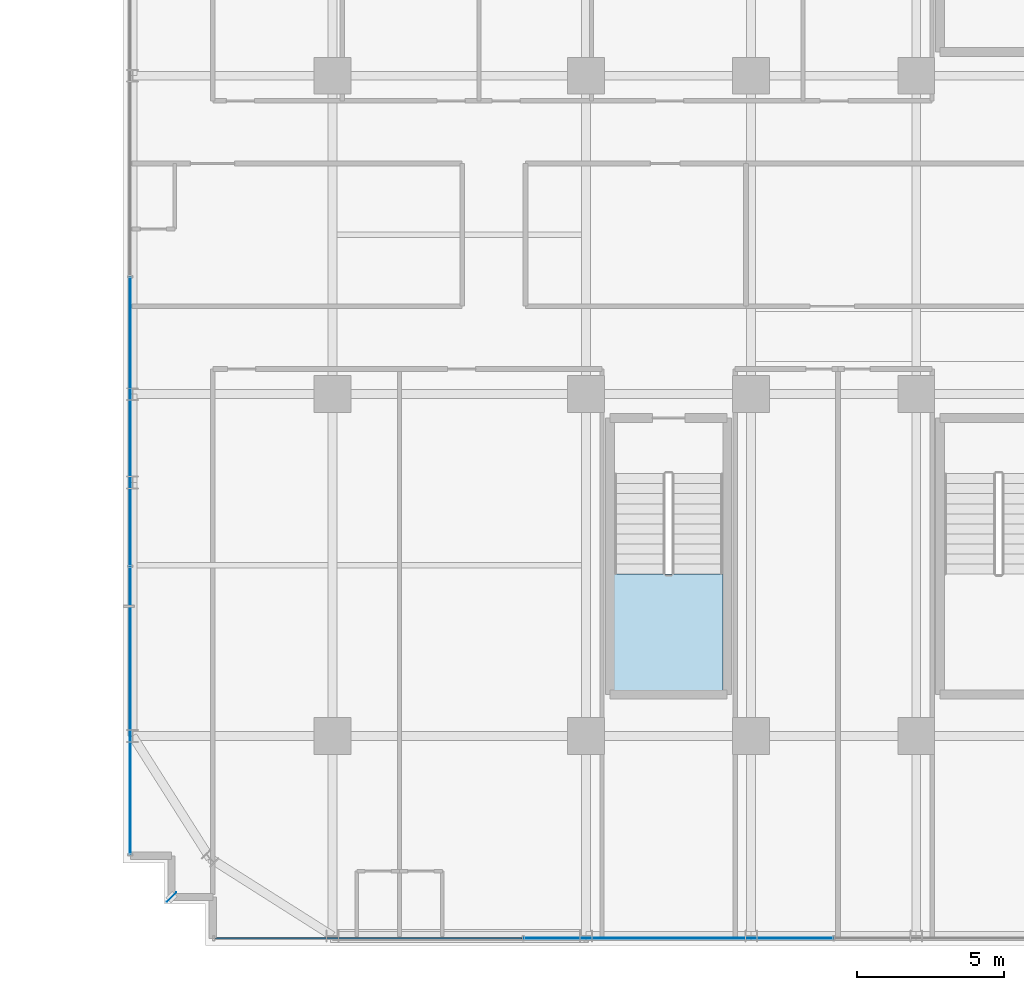
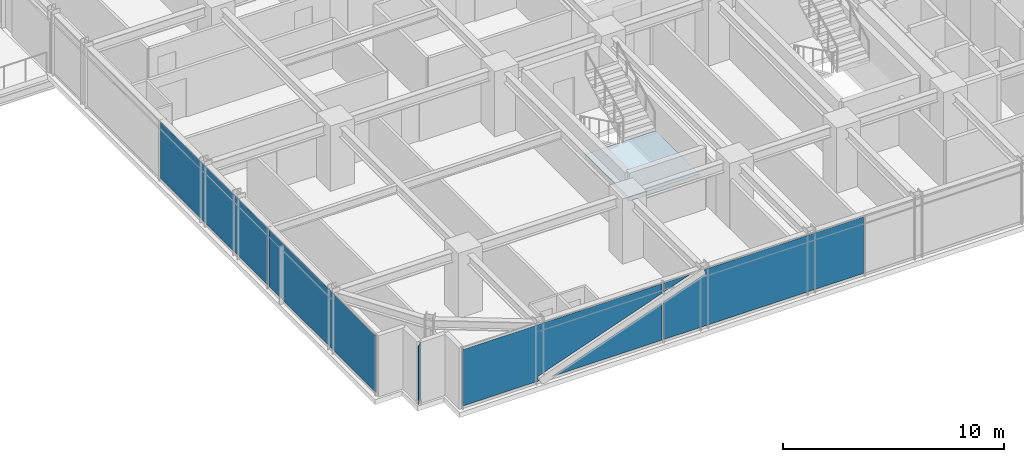
# One storey, part 26 of 40: 5 plates, 1 slab, 3 elements without a shape of their own.
"""IFC4 building model written with IfcOpenShell, lengths in metres."""

import ifcopenshell
import ifcopenshell.guid

model = None  # the IFC model being written
_history = None  # IfcOwnerHistory: only IFC2X3 demands one
_inside = {}  # id of a spatial element -> (the spatial element, [elements in it])
_under = {}  # id of a project, library or spatial element -> (it, [spatial elements below it])
_declared = {}  # id of a project -> (the project, [libraries it declares])
_typed = {}  # id of a type object -> (the type object, [elements of that type])
_made_of = {}  # id of a material, layer set ... -> (it, [elements and type objects made of it])


def new_model(schema):
    """Start an empty IFC model of exactly this schema.

    Asked for "IFC4X3", IfcOpenShell would pick the latest addendum, in which some entities
    have other attributes; the version numbers below select the first issue.
    IFC2X3 requires an IfcOwnerHistory on every rooted entity: one is made here for all.
    """
    global model, _history
    if schema == "IFC4X3":
        model = ifcopenshell.file(schema_version=(4, 3, 0, 0))
    else:
        model = ifcopenshell.file(schema=schema)
    _inside.clear()
    _under.clear()
    _declared.clear()
    _typed.clear()
    _made_of.clear()
    _history = None
    if model.schema == "IFC2X3":
        org = make("IfcOrganization", Name="unknown")
        user = make(
            "IfcPersonAndOrganization",
            ThePerson=make("IfcPerson", FamilyName="unknown"),
            TheOrganization=org,
        )
        app = make(
            "IfcApplication",
            ApplicationDeveloper=org,
            Version="unknown",
            ApplicationFullName="unknown",
            ApplicationIdentifier="unknown",
        )
        _history = make(
            "IfcOwnerHistory",
            OwningUser=user,
            OwningApplication=app,
            ChangeAction="ADDED",
            CreationDate=0,
        )
    return model


def make(cls, **values):
    """One entity of the class cls with the attributes given. An attribute that is None is left unset."""
    return model.create_entity(
        cls, **{name: value for name, value in values.items() if value is not None}
    )


def rooted(cls, **values):
    """An entity with a GlobalId (a new one), such as an element, a storey or a relation."""
    return make(cls, GlobalId=ifcopenshell.guid.new(), OwnerHistory=_history, **values)


def si_unit(unit_type, name, prefix=None):
    """IfcSIUnit, for example si_unit("LENGTHUNIT", "METRE", prefix="MILLI")."""
    return make("IfcSIUnit", UnitType=unit_type, Prefix=prefix, Name=name)


def assignment(units):
    """IfcUnitAssignment: the units of a project."""
    return None if units is None else make("IfcUnitAssignment", Units=units)


def point(xyz):
    """IfcCartesianPoint."""
    return None if xyz is None else make("IfcCartesianPoint", Coordinates=xyz)


def direction(xyz):
    """IfcDirection."""
    return None if xyz is None else make("IfcDirection", DirectionRatios=xyz)


def frame(location, z_axis=None, x_axis=None):
    """IfcAxis2Placement3D, a coordinate frame: its origin and axes. An axis left out is left unset."""
    return make(
        "IfcAxis2Placement3D",
        Location=point(location),
        Axis=direction(z_axis),
        RefDirection=direction(x_axis),
    )


def frame_2d(location, x_axis=None):
    """IfcAxis2Placement2D, a coordinate frame in the plane: its origin and x axis."""
    return make(
        "IfcAxis2Placement2D", Location=point(location), RefDirection=direction(x_axis)
    )


def origin():
    """The frame at (0, 0, 0) with its axes left unset."""
    return frame((0.0, 0.0, 0.0))


def origin_2d():
    """The frame at (0, 0) in the plane with its x axis left unset."""
    return frame_2d((0.0, 0.0))


def place(relative_to, where):
    """IfcLocalPlacement: puts the frame where relative to a parent placement (None: the world)."""
    return make(
        "IfcLocalPlacement", PlacementRelTo=relative_to, RelativePlacement=where
    )


def context(
    kind, dimensions, precision=None, world=None, true_north=None, identifier=None
):
    """IfcGeometricRepresentationContext, for example the 3D "Model" context."""
    return make(
        "IfcGeometricRepresentationContext",
        ContextIdentifier=identifier,
        ContextType=kind,
        CoordinateSpaceDimension=dimensions,
        Precision=precision,
        WorldCoordinateSystem=world,
        TrueNorth=true_north,
    )


def subcontext(parent, identifier, kind, view, scale=None):
    """IfcGeometricRepresentationSubContext, for example "Body" below "Model"."""
    return make(
        "IfcGeometricRepresentationSubContext",
        ContextIdentifier=identifier,
        ContextType=kind,
        ParentContext=parent,
        TargetScale=scale,
        TargetView=view,
    )


def project(units=None, contexts=None):
    """IfcProject with its units and contexts."""
    return rooted(
        "IfcProject",
        Name="project",
        RepresentationContexts=contexts,
        UnitsInContext=assignment(units),
    )


def spatial(cls, under=None, at=None, **own):
    """A site, building, storey or space (cls), placed at a placement, below another one or the project."""
    s = rooted(cls, ObjectPlacement=at, **own)
    if under is not None:
        _under.setdefault(under.id(), (under, []))[1].append(s)
    return s


def polyline(points):
    """IfcPolyline through the points."""
    return make("IfcPolyline", Points=[point(p) for p in points])


def profile(cls, at=None, kind="AREA", **sizes):
    """A parametric profile (cls). Its sizes go by their IFC names, for example OverallWidth=200.0."""
    return make(cls, ProfileType=kind, Position=at, **sizes)


def rectangle(**sizes):
    """IfcRectangleProfileDef."""
    return profile("IfcRectangleProfileDef", **sizes)


def outline(outer, holes=None, kind="AREA"):
    """IfcArbitraryClosedProfileDef: a profile drawn as a closed curve; with holes, ...WithVoids."""
    if holes is None:
        return make("IfcArbitraryClosedProfileDef", ProfileType=kind, OuterCurve=outer)
    return make(
        "IfcArbitraryProfileDefWithVoids",
        ProfileType=kind,
        OuterCurve=outer,
        InnerCurves=holes,
    )


def extrude(swept, where, along, depth):
    """IfcExtrudedAreaSolid: the profile swept, set in the frame where, extruded along a direction by depth."""
    return make(
        "IfcExtrudedAreaSolid",
        SweptArea=swept,
        Position=where,
        ExtrudedDirection=direction(along),
        Depth=depth,
    )


def shape(context_of_items, identifier, shape_type, items):
    """IfcShapeRepresentation: the items that make up one representation, for example the "Body"."""
    return make(
        "IfcShapeRepresentation",
        ContextOfItems=context_of_items,
        RepresentationIdentifier=identifier,
        RepresentationType=shape_type,
        Items=items,
    )


def source(mapping_origin, context_of_items, identifier, shape_type, items):
    """IfcRepresentationMap: a shape defined once, which mapped items show again and again."""
    return make(
        "IfcRepresentationMap",
        MappingOrigin=mapping_origin,
        MappedRepresentation=shape(context_of_items, identifier, shape_type, items),
    )


def transform(
    local_origin,
    x_axis=None,
    y_axis=None,
    z_axis=None,
    scale=None,
    scale2=None,
    scale3=None,
    uniform=True,
):
    """IfcCartesianTransformationOperator3D, or its non-uniform kind. x_axis, y_axis, z_axis: its Axis1, 2, 3."""
    if uniform:
        return make(
            "IfcCartesianTransformationOperator3D",
            Axis1=direction(x_axis),
            Axis2=direction(y_axis),
            LocalOrigin=point(local_origin),
            Scale=scale,
            Axis3=direction(z_axis),
        )
    return make(
        "IfcCartesianTransformationOperator3DnonUniform",
        Axis1=direction(x_axis),
        Axis2=direction(y_axis),
        LocalOrigin=point(local_origin),
        Scale=scale,
        Axis3=direction(z_axis),
        Scale2=scale2,
        Scale3=scale3,
    )


def mapped(mapping_source, mapping_target):
    """IfcMappedItem: shows the shape of a source again, moved by a transform."""
    return make(
        "IfcMappedItem", MappingSource=mapping_source, MappingTarget=mapping_target
    )


def material(Name=None, Category=None):
    """IfcMaterial."""
    return make("IfcMaterial", Name=Name, Category=Category)


def layer(
    of_material, thickness, ventilated=None, Name=None, Category=None, Priority=None
):
    """IfcMaterialLayer: one layer of a wall or slab, of a material (None: an air gap)."""
    return make(
        "IfcMaterialLayer",
        Material=of_material,
        LayerThickness=thickness,
        IsVentilated=ventilated,
        Name=Name,
        Category=Category,
        Priority=Priority,
    )


def layer_set(layers, Name=None):
    """IfcMaterialLayerSet."""
    return make("IfcMaterialLayerSet", MaterialLayers=layers, LayerSetName=Name)


def made_of(thing, what):
    """Note that an element or type object is made of a material, layer set ...; save() writes the relation."""
    if what is not None:
        _made_of.setdefault(what.id(), (what, []))[1].append(thing)
    return thing


def type_object(cls, material=None, **own):
    """A type object (cls), such as IfcWallType, which elements share."""
    return made_of(rooted(cls, **own), material)


def element(
    cls,
    number,
    at=None,
    inside=None,
    cuts=None,
    type_object=None,
    material=None,
    context=None,
    identifier="Body",
    shape_type=None,
    held_by="IfcProductDefinitionShape",
    body=None,
    shapes=None,
    **own,
):
    """One element of the class cls, such as IfcWall. Its Tag is "e" and its number.

    at: its placement. inside: the storey or other place that contains it. cuts: it is an
    opening in that element (IfcRelVoidsElement). A single representation is given by context,
    identifier, shape_type and body (its items); several are given by shapes. held_by: the class
    of the entity that holds the representations. save() writes the other relations.
    """
    e = rooted(cls, Tag="e%d" % number, ObjectPlacement=at, **own)
    if body is not None:
        shapes = [shape(context, identifier, shape_type, body)]
    if shapes is not None:
        e.Representation = make(held_by, Representations=shapes)
    if inside is not None:
        _inside.setdefault(inside.id(), (inside, []))[1].append(e)
    if cuts is not None:
        rooted(
            "IfcRelVoidsElement", RelatingBuildingElement=cuts, RelatedOpeningElement=e
        )
    if type_object is not None:
        _typed.setdefault(type_object.id(), (type_object, []))[1].append(e)
    return made_of(e, material)


def aggregate(whole, parts):
    """IfcRelAggregates: a whole, such as a stair, and the parts it consists of."""
    return rooted("IfcRelAggregates", RelatingObject=whole, RelatedObjects=parts)


def save(model, path):
    """Write the relations noted so far, then the file.

    IfcRelAggregates (storeys below a building ...), IfcRelContainedInSpatialStructure (elements
    in a storey), IfcRelDefinesByType, IfcRelAssociatesMaterial and IfcRelDeclares: one each for
    every whole, place, type object, material and project.
    """
    for whole, parts in _under.values():
        aggregate(whole, parts)
    for where, things in _inside.values():
        rooted(
            "IfcRelContainedInSpatialStructure",
            RelatedElements=things,
            RelatingStructure=where,
        )
    for kind, things in _typed.values():
        rooted("IfcRelDefinesByType", RelatedObjects=things, RelatingType=kind)
    for what, things in _made_of.values():
        rooted("IfcRelAssociatesMaterial", RelatedObjects=things, RelatingMaterial=what)
    for by, libraries in _declared.values():
        rooted("IfcRelDeclares", RelatingContext=by, RelatedDefinitions=libraries)
    model.write(path)


model = new_model("IFC4")

# Units and contexts
model_context = context("Model", 3, precision=1e-05, world=origin(), true_north=direction((0.0, 1.0)))
body_context = subcontext(model_context, "Body", "Model", "MODEL_VIEW")
ifc_project = project(units=[si_unit("LENGTHUNIT", "METRE"), si_unit("AREAUNIT", "SQUARE_METRE"), si_unit("VOLUMEUNIT", "CUBIC_METRE"), si_unit("PLANEANGLEUNIT", "RADIAN"), si_unit("MASSUNIT", "GRAM", prefix="KILO")], contexts=[model_context])

# Site, building, storey
site_placement = place(None, origin())
site = spatial("IfcSite", under=ifc_project, at=site_placement, CompositionType="ELEMENT")
building_placement = place(site_placement, origin())
building = spatial("IfcBuilding", under=site, at=building_placement, Name="Nahalor Promenade Grand Hotel", CompositionType="ELEMENT")
storey_placement = place(building_placement, frame((0.0, 0.0, 91.949951171875)))
storey = spatial("IfcBuildingStorey", under=building, at=storey_placement, Name="L22", CompositionType="ELEMENT", Elevation=91.949951171875)

# Curtain wall, plates
ifc_material_1 = material(Name="Anodised Bronze Aluminium EN AW-6063 T6", Category="aluminium")
curtain_wall_type = type_object("IfcCurtainWallType", Name="CW2 Typical Hotel Flush Bronze Unitised Curtain Wall", PredefinedType="USERDEFINED", material=ifc_material_1)
curtain_wall_1_placement = place(storey_placement, origin())
curtain_wall_1 = element("IfcCurtainWall", 1, at=curtain_wall_1_placement, inside=storey, type_object=curtain_wall_type, Name="L22 Curtain Wall CW-L22-S-1", ObjectType="UNITISED_CURTAIN_WALL", PredefinedType="USERDEFINED")
ifc_material_2 = material(Name="Low-E Laminated Solar Glass", Category="glass")
ifc_layer_1 = layer(ifc_material_2, 0.028076171875)
ifc_layer_set_1 = layer_set([ifc_layer_1], Name="Low-E Laminated Solar Glass")
plate_type_1 = type_object("IfcPlateType", Name="CWP2 Bronze Low-E Vision IGU 28mm", PredefinedType="CURTAIN_PANEL", material=ifc_layer_set_1)
plate_1_placement = place(storey_placement, frame((-15.77880859375, -23.860107421875, 0.1298828125), z_axis=(0.0, 0.0, 1.0), x_axis=(1.0, 0.0, 0.0)))
plate_1 = element("IfcPlate", 2, at=plate_1_placement, type_object=plate_type_1, Name="CW-L22-S-1 Glazing Panel 0-0", PredefinedType="CURTAIN_PANEL", context=body_context, shape_type="SweptSolid", body=[
    extrude(outline(polyline([(-5.21630859375, 3.1201171875), (-5.21630859375, 0.0), (-1.24072265625, 0.0), (-1.3291015625, 0.246826171875), (5.21630859375, 2.591064453125), (5.21630859375, 3.1201171875), (-5.21630859375, 3.1201171875)])), frame((0.0, 0.01416015625, 0.0), z_axis=(0.0, -1.0, 0.0), x_axis=(1.0, 0.0, 0.0)), (0.0, 0.0, 1.0), 0.028076171875),
    extrude(outline(polyline([(-0.53564453125, 0.0), (5.21630859375, 0.0), (5.21630859375, 2.06005859375), (-0.53564453125, 0.0)])), frame((0.0, 0.01416015625, 0.0), z_axis=(0.0, -1.0, 0.0), x_axis=(1.0, 0.0, 0.0)), (0.0, 0.0, 1.0), 0.028076171875),
])
plate_2_placement = place(storey_placement, frame((-5.264892578125, -23.860107421875, 0.1298828125), z_axis=(0.0, 0.0, 1.0), x_axis=(1.0, 0.0, 0.0)))
plate_2 = element("IfcPlate", 3, at=plate_2_placement, type_object=plate_type_1, Name="CW-L22-S-1 Glazing Panel 1-0", PredefinedType="CURTAIN_PANEL", context=body_context, shape_type="SweptSolid", body=[
    extrude(outline(polyline([(5.232421875, 0.0), (5.232421875, 3.1201171875), (-3.11572265625, 3.1201171875), (-3.027099609375, 2.873046875), (-5.232421875, 2.083251953125), (-5.232421875, 0.0), (5.232421875, 0.0)])), frame((0.0, 0.01416015625, 0.0), z_axis=(0.0, -1.0, 0.0), x_axis=(1.0, 0.0, 0.0)), (0.0, 0.0, 1.0), 0.028076171875),
    extrude(outline(polyline([(-3.820556640625, 3.1201171875), (-5.232421875, 3.1201171875), (-5.232421875, 2.6142578125), (-3.820556640625, 3.1201171875)])), frame((0.0, 0.01416015625, 0.0), z_axis=(0.0, -1.0, 0.0), x_axis=(1.0, 0.0, 0.0)), (0.0, 0.0, 1.0), 0.028076171875),
])
aggregate(curtain_wall_1, [plate_1, plate_2])

# Stair, slab
ifc_material_3 = material(Name="Concrete B-50 (C40/50)", Category="concrete")
stair_type = type_object("IfcStairType", Name="Stair-ST3", PredefinedType="HALF_TURN_STAIR", material=ifc_material_3)
stair_placement = place(storey_placement, origin())
stair = element("IfcStair", 4, at=stair_placement, inside=storey, type_object=stair_type, Name="L22 ST3", PredefinedType="HALF_TURN_STAIR")
ifc_layer_2 = layer(ifc_material_3, 0.219970703125)
ifc_layer_set_2 = layer_set([ifc_layer_2], Name="Concrete B-50 (C40/50)")
slab_type = type_object("IfcSlabType", Name="Landing-ST3", PredefinedType="LANDING", material=ifc_layer_set_2)
slab_placement = place(storey_placement, frame((0.0, 0.0, 1.60498046875)))
slab = element("IfcSlab", 5, at=slab_placement, type_object=slab_type, Name="ST3 landing 1", PredefinedType="LANDING", context=body_context, shape_type="SweptSolid", body=[
    extrude(outline(polyline([(-7.449951171875, -11.5), (-7.449951171875, -15.449951171875), (-3.75, -15.449951171875), (-3.75, -11.5), (-7.449951171875, -11.5)])), origin(), (0.0, 0.0, 1.0), 0.219970703125),
])
aggregate(stair, [slab])

# Plate
ifc_layer_3 = layer(ifc_material_1, 0.02001953125)
ifc_layer_set_3 = layer_set([ifc_layer_3], Name="Anodised Bronze Aluminium EN AW-6063 T6")
plate_type_2 = type_object("IfcPlateType", Name="Plate-CornerFin-20", PredefinedType="SHEET", material=ifc_layer_set_3)
shared_shape_1 = source(origin(), body_context, "Body", "SweptSolid", [
    extrude(rectangle(XDim=0.449951171875, YDim=0.02001953125, at=origin_2d()), origin(), (0.0, 0.0, 1.0), 3.199951171875),
])
plate_3_placement = place(storey_placement, frame((-22.4599609375, -22.4599609375, 0.0), z_axis=(0.0, 0.0, 1.0), x_axis=(0.707106781187, 0.707106781187, 0.0)))
element("IfcPlate", 6, at=plate_3_placement, inside=storey, type_object=plate_type_2, Name="FIN-L22-SW", PredefinedType="SHEET", context=body_context, shape_type="MappedRepresentation", body=[
    mapped(shared_shape_1, transform((0.0, 0.0, 0.0), scale=1.0)),
])

# Curtain wall, plates
curtain_wall_2_placement = place(storey_placement, origin())
curtain_wall_2 = element("IfcCurtainWall", 7, at=curtain_wall_2_placement, inside=storey, type_object=curtain_wall_type, Name="L22 Curtain Wall CW-L22-W-1", ObjectType="UNITISED_CURTAIN_WALL", PredefinedType="USERDEFINED")
shared_shape_2 = source(origin(), body_context, "Body", "SweptSolid", [
    extrude(rectangle(XDim=9.722412109375, YDim=0.028076171875, at=origin_2d()), origin(), (0.0, 0.0, 1.0), 3.1201171875),
])
plate_4_placement = place(storey_placement, frame((-23.860107421875, -16.1337890625, 0.1298828125), z_axis=(0.0, 0.0, 1.0), x_axis=(0.0, 1.0, 0.0)))
plate_4 = element("IfcPlate", 8, at=plate_4_placement, type_object=plate_type_1, Name="CW-L22-W-1 Glazing Panel 0-0", PredefinedType="CURTAIN_PANEL", context=body_context, shape_type="MappedRepresentation", body=[
    mapped(shared_shape_2, transform((0.0, 0.0, 0.0), scale=1.0)),
])
shared_shape_3 = source(origin(), body_context, "Body", "SweptSolid", [
    extrude(rectangle(XDim=9.7548828125, YDim=0.028076171875, at=origin_2d()), origin(), (0.0, 0.0, 1.0), 3.1201171875),
])
plate_5_placement = place(storey_placement, frame((-23.860107421875, -6.330078125, 0.1298828125), z_axis=(0.0, 0.0, 1.0), x_axis=(0.0, 1.0, 0.0)))
plate_5 = element("IfcPlate", 9, at=plate_5_placement, type_object=plate_type_1, Name="CW-L22-W-1 Glazing Panel 1-0", PredefinedType="CURTAIN_PANEL", context=body_context, shape_type="MappedRepresentation", body=[
    mapped(shared_shape_3, transform((0.0, 0.0, 0.0), scale=1.0)),
])
aggregate(curtain_wall_2, [plate_4, plate_5])

save(model, "model.ifc")
